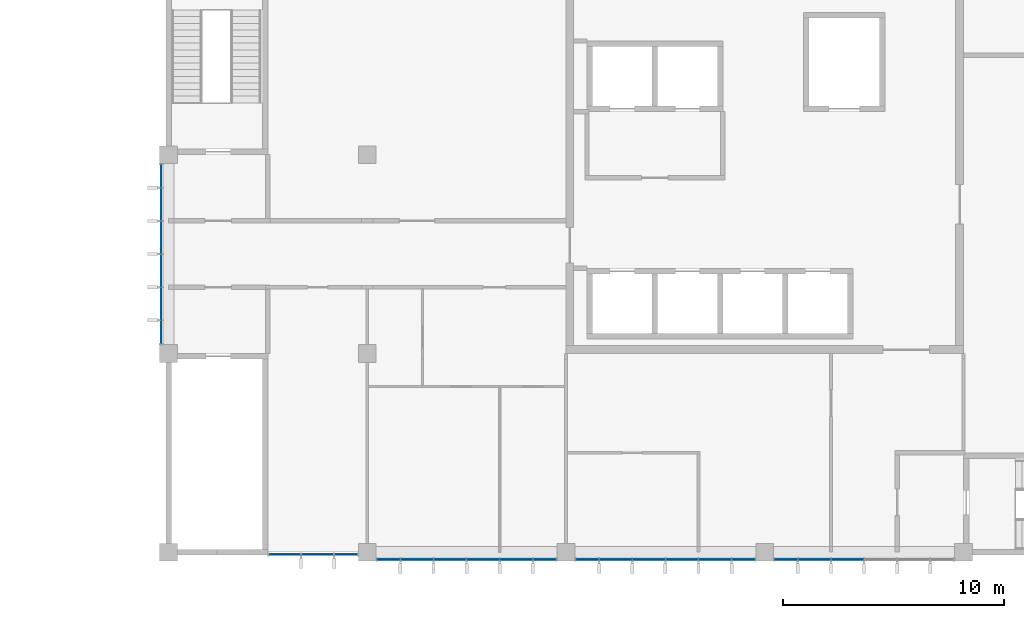
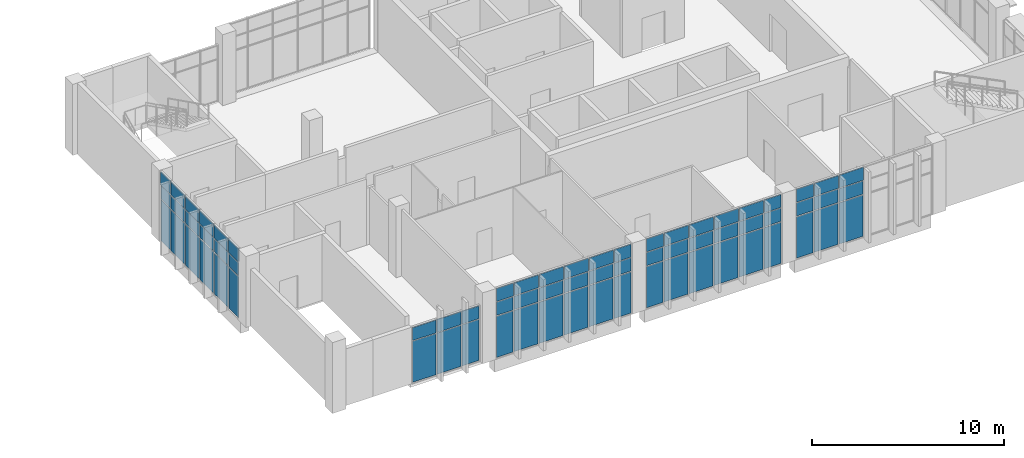
# One storey, part 8 of 19: 69 plates, 5 elements without a shape of their own.
"""IFC4 building model written with IfcOpenShell, lengths in metres."""

from ifc_helpers import new_model, si_unit, direction, frame, origin, origin_2d, place, context, subcontext, project, spatial, rectangle, extrude, material, layer, layer_set, type_object, element, aggregate, save


model = new_model("IFC4")

# Units and contexts
model_context = context("Model", 3, precision=1e-05, world=origin(), true_north=direction((0.0, 1.0)))
body_context = subcontext(model_context, "Body", "Model", "MODEL_VIEW")
ifc_project = project(units=[si_unit("LENGTHUNIT", "METRE"), si_unit("AREAUNIT", "SQUARE_METRE"), si_unit("VOLUMEUNIT", "CUBIC_METRE"), si_unit("PLANEANGLEUNIT", "RADIAN"), si_unit("MASSUNIT", "GRAM", prefix="KILO")], contexts=[model_context])

# Site, building, storey
site_placement = place(None, origin())
site = spatial("IfcSite", under=ifc_project, at=site_placement, CompositionType="ELEMENT")
building_placement = place(site_placement, origin())
building = spatial("IfcBuilding", under=site, at=building_placement, Name="Guidao Yard Department Store", CompositionType="ELEMENT")
storey_placement = place(building_placement, frame((0.0, 0.0, 33.0)))
storey = spatial("IfcBuildingStorey", under=building, at=storey_placement, Name="L07", CompositionType="ELEMENT", Elevation=33.0)

# Curtain wall, plates
ifc_material_1 = material(Name="Aluminium and glass", Category="aluminium")
ifc_layer_1 = layer(ifc_material_1, 0.159912109375)
ifc_layer_set_1 = layer_set([ifc_layer_1], Name="Unitised curtain wall CW4 1500 module")
curtain_wall_type = type_object("IfcCurtainWallType", Name="Unitised curtain wall CW4 1500 module", PredefinedType="NOTDEFINED", material=ifc_layer_set_1)
curtain_wall_1_placement = place(storey_placement, origin())
curtain_wall_1 = element("IfcCurtainWall", 1, at=curtain_wall_1_placement, inside=storey, type_object=curtain_wall_type, Name="Unitised curtain wall", PredefinedType="NOTDEFINED")
ifc_material_2 = material(Name="Aluminium 6063-T5 faced insulated spandrel", Category="aluminium")
ifc_layer_2 = layer(ifc_material_2, 0.06005859375)
ifc_layer_set_2 = layer_set([ifc_layer_2], Name="Spandrel panel SP1 insulated opaque")
plate_type_1 = type_object("IfcPlateType", Name="Spandrel panel SP1 insulated opaque", PredefinedType="CURTAIN_PANEL", material=ifc_layer_set_2)
plate_1_placement = place(storey_placement, frame((131.264892578125, -0.10009765625, 2.72998046875), z_axis=(0.0, 0.0, 1.0), x_axis=(-1.0, 0.0, 0.0)))
plate_1 = element("IfcPlate", 2, at=plate_1_placement, type_object=plate_type_1, Name="CW-OW-L07-01 panel 1.2", PredefinedType="CURTAIN_PANEL", context=body_context, shape_type="SweptSolid", body=[
    extrude(rectangle(XDim=1.409912109375, YDim=0.06005859375, at=origin_2d()), origin(), (0.0, 0.0, 1.0), 0.81005859375),
])
plate_2_placement = place(storey_placement, frame((132.75, -0.10009765625, 2.72998046875), z_axis=(0.0, 0.0, 1.0), x_axis=(-1.0, 0.0, 0.0)))
plate_2 = element("IfcPlate", 3, at=plate_2_placement, type_object=plate_type_1, Name="CW-OW-L07-01 panel 2.2", PredefinedType="CURTAIN_PANEL", context=body_context, shape_type="SweptSolid", body=[
    extrude(rectangle(XDim=1.43994140625, YDim=0.06005859375, at=origin_2d()), origin(), (0.0, 0.0, 1.0), 0.81005859375),
])
plate_3_placement = place(storey_placement, frame((134.034912109375, -0.10009765625, 2.72998046875), z_axis=(0.0, 0.0, 1.0), x_axis=(-1.0, 0.0, 0.0)))
plate_3 = element("IfcPlate", 4, at=plate_3_placement, type_object=plate_type_1, Name="CW-OW-L07-01 panel 3.2", PredefinedType="CURTAIN_PANEL", context=body_context, shape_type="SweptSolid", body=[
    extrude(rectangle(XDim=1.010009765625, YDim=0.06005859375, at=origin_2d()), origin(), (0.0, 0.0, 1.0), 0.81005859375),
])

curtain_wall_2_placement = place(storey_placement, origin())
curtain_wall_2 = element("IfcCurtainWall", 5, at=curtain_wall_2_placement, inside=storey, type_object=curtain_wall_type, Name="Unitised curtain wall", PredefinedType="NOTDEFINED")
plate_4_placement = place(storey_placement, frame((135.965087890625, -0.330078125, 3.6298828125), z_axis=(0.0, 0.0, 1.0), x_axis=(-1.0, 0.0, 0.0)))
plate_4 = element("IfcPlate", 6, at=plate_4_placement, type_object=plate_type_1, Name="CW-OW-L07-02 panel 1.3", PredefinedType="CURTAIN_PANEL", context=body_context, shape_type="SweptSolid", body=[
    extrude(rectangle(XDim=1.010009765625, YDim=0.06005859375, at=origin_2d()), origin(), (0.0, 0.0, 1.0), 0.81005859375),
])
plate_5_placement = place(storey_placement, frame((137.25, -0.330078125, 3.6298828125), z_axis=(0.0, 0.0, 1.0), x_axis=(-1.0, 0.0, 0.0)))
plate_5 = element("IfcPlate", 7, at=plate_5_placement, type_object=plate_type_1, Name="CW-OW-L07-02 panel 2.3", PredefinedType="CURTAIN_PANEL", context=body_context, shape_type="SweptSolid", body=[
    extrude(rectangle(XDim=1.43994140625, YDim=0.06005859375, at=origin_2d()), origin(), (0.0, 0.0, 1.0), 0.81005859375),
])
plate_6_placement = place(storey_placement, frame((138.75, -0.330078125, 3.6298828125), z_axis=(0.0, 0.0, 1.0), x_axis=(-1.0, 0.0, 0.0)))
plate_6 = element("IfcPlate", 8, at=plate_6_placement, type_object=plate_type_1, Name="CW-OW-L07-02 panel 3.3", PredefinedType="CURTAIN_PANEL", context=body_context, shape_type="SweptSolid", body=[
    extrude(rectangle(XDim=1.43994140625, YDim=0.06005859375, at=origin_2d()), origin(), (0.0, 0.0, 1.0), 0.81005859375),
])
plate_7_placement = place(storey_placement, frame((140.25, -0.330078125, 3.6298828125), z_axis=(0.0, 0.0, 1.0), x_axis=(-1.0, 0.0, 0.0)))
plate_7 = element("IfcPlate", 9, at=plate_7_placement, type_object=plate_type_1, Name="CW-OW-L07-02 panel 4.3", PredefinedType="CURTAIN_PANEL", context=body_context, shape_type="SweptSolid", body=[
    extrude(rectangle(XDim=1.43994140625, YDim=0.06005859375, at=origin_2d()), origin(), (0.0, 0.0, 1.0), 0.81005859375),
])
plate_8_placement = place(storey_placement, frame((141.75, -0.330078125, 3.6298828125), z_axis=(0.0, 0.0, 1.0), x_axis=(-1.0, 0.0, 0.0)))
plate_8 = element("IfcPlate", 10, at=plate_8_placement, type_object=plate_type_1, Name="CW-OW-L07-02 panel 5.3", PredefinedType="CURTAIN_PANEL", context=body_context, shape_type="SweptSolid", body=[
    extrude(rectangle(XDim=1.43994140625, YDim=0.06005859375, at=origin_2d()), origin(), (0.0, 0.0, 1.0), 0.81005859375),
])
plate_9_placement = place(storey_placement, frame((143.034912109375, -0.330078125, 3.6298828125), z_axis=(0.0, 0.0, 1.0), x_axis=(-1.0, 0.0, 0.0)))
plate_9 = element("IfcPlate", 11, at=plate_9_placement, type_object=plate_type_1, Name="CW-OW-L07-02 panel 6.3", PredefinedType="CURTAIN_PANEL", context=body_context, shape_type="SweptSolid", body=[
    extrude(rectangle(XDim=1.010009765625, YDim=0.06005859375, at=origin_2d()), origin(), (0.0, 0.0, 1.0), 0.81005859375),
])

curtain_wall_3_placement = place(storey_placement, origin())
curtain_wall_3 = element("IfcCurtainWall", 12, at=curtain_wall_3_placement, inside=storey, type_object=curtain_wall_type, Name="Unitised curtain wall", PredefinedType="NOTDEFINED")
plate_10_placement = place(storey_placement, frame((144.965087890625, -0.330078125, 3.6298828125), z_axis=(0.0, 0.0, 1.0), x_axis=(-1.0, 0.0, 0.0)))
plate_10 = element("IfcPlate", 13, at=plate_10_placement, type_object=plate_type_1, Name="CW-OW-L07-03 panel 1.3", PredefinedType="CURTAIN_PANEL", context=body_context, shape_type="SweptSolid", body=[
    extrude(rectangle(XDim=1.010009765625, YDim=0.06005859375, at=origin_2d()), origin(), (0.0, 0.0, 1.0), 0.81005859375),
])
plate_11_placement = place(storey_placement, frame((146.25, -0.330078125, 3.6298828125), z_axis=(0.0, 0.0, 1.0), x_axis=(-1.0, 0.0, 0.0)))
plate_11 = element("IfcPlate", 14, at=plate_11_placement, type_object=plate_type_1, Name="CW-OW-L07-03 panel 2.3", PredefinedType="CURTAIN_PANEL", context=body_context, shape_type="SweptSolid", body=[
    extrude(rectangle(XDim=1.43994140625, YDim=0.06005859375, at=origin_2d()), origin(), (0.0, 0.0, 1.0), 0.81005859375),
])
plate_12_placement = place(storey_placement, frame((147.75, -0.330078125, 3.6298828125), z_axis=(0.0, 0.0, 1.0), x_axis=(-1.0, 0.0, 0.0)))
plate_12 = element("IfcPlate", 15, at=plate_12_placement, type_object=plate_type_1, Name="CW-OW-L07-03 panel 3.3", PredefinedType="CURTAIN_PANEL", context=body_context, shape_type="SweptSolid", body=[
    extrude(rectangle(XDim=1.43994140625, YDim=0.06005859375, at=origin_2d()), origin(), (0.0, 0.0, 1.0), 0.81005859375),
])
plate_13_placement = place(storey_placement, frame((149.25, -0.330078125, 3.6298828125), z_axis=(0.0, 0.0, 1.0), x_axis=(-1.0, 0.0, 0.0)))
plate_13 = element("IfcPlate", 16, at=plate_13_placement, type_object=plate_type_1, Name="CW-OW-L07-03 panel 4.3", PredefinedType="CURTAIN_PANEL", context=body_context, shape_type="SweptSolid", body=[
    extrude(rectangle(XDim=1.43994140625, YDim=0.06005859375, at=origin_2d()), origin(), (0.0, 0.0, 1.0), 0.81005859375),
])
plate_14_placement = place(storey_placement, frame((150.75, -0.330078125, 3.6298828125), z_axis=(0.0, 0.0, 1.0), x_axis=(-1.0, 0.0, 0.0)))
plate_14 = element("IfcPlate", 17, at=plate_14_placement, type_object=plate_type_1, Name="CW-OW-L07-03 panel 5.3", PredefinedType="CURTAIN_PANEL", context=body_context, shape_type="SweptSolid", body=[
    extrude(rectangle(XDim=1.43994140625, YDim=0.06005859375, at=origin_2d()), origin(), (0.0, 0.0, 1.0), 0.81005859375),
])
plate_15_placement = place(storey_placement, frame((152.034912109375, -0.330078125, 3.6298828125), z_axis=(0.0, 0.0, 1.0), x_axis=(-1.0, 0.0, 0.0)))
plate_15 = element("IfcPlate", 18, at=plate_15_placement, type_object=plate_type_1, Name="CW-OW-L07-03 panel 6.3", PredefinedType="CURTAIN_PANEL", context=body_context, shape_type="SweptSolid", body=[
    extrude(rectangle(XDim=1.010009765625, YDim=0.06005859375, at=origin_2d()), origin(), (0.0, 0.0, 1.0), 0.81005859375),
])

curtain_wall_4_placement = place(storey_placement, origin())
curtain_wall_4 = element("IfcCurtainWall", 19, at=curtain_wall_4_placement, inside=storey, type_object=curtain_wall_type, Name="Unitised curtain wall", PredefinedType="NOTDEFINED")
plate_16_placement = place(storey_placement, frame((153.965087890625, -0.330078125, 3.6298828125), z_axis=(0.0, 0.0, 1.0), x_axis=(-1.0, 0.0, 0.0)))
plate_16 = element("IfcPlate", 20, at=plate_16_placement, type_object=plate_type_1, Name="CW-OW-L07-04 panel 1.3", PredefinedType="CURTAIN_PANEL", context=body_context, shape_type="SweptSolid", body=[
    extrude(rectangle(XDim=1.010009765625, YDim=0.06005859375, at=origin_2d()), origin(), (0.0, 0.0, 1.0), 0.81005859375),
])
plate_17_placement = place(storey_placement, frame((155.25, -0.330078125, 3.6298828125), z_axis=(0.0, 0.0, 1.0), x_axis=(-1.0, 0.0, 0.0)))
plate_17 = element("IfcPlate", 21, at=plate_17_placement, type_object=plate_type_1, Name="CW-OW-L07-04 panel 2.3", PredefinedType="CURTAIN_PANEL", context=body_context, shape_type="SweptSolid", body=[
    extrude(rectangle(XDim=1.43994140625, YDim=0.06005859375, at=origin_2d()), origin(), (0.0, 0.0, 1.0), 0.81005859375),
])
plate_18_placement = place(storey_placement, frame((156.75, -0.330078125, 3.6298828125), z_axis=(0.0, 0.0, 1.0), x_axis=(-1.0, 0.0, 0.0)))
plate_18 = element("IfcPlate", 22, at=plate_18_placement, type_object=plate_type_1, Name="CW-OW-L07-04 panel 3.3", PredefinedType="CURTAIN_PANEL", context=body_context, shape_type="SweptSolid", body=[
    extrude(rectangle(XDim=1.43994140625, YDim=0.06005859375, at=origin_2d()), origin(), (0.0, 0.0, 1.0), 0.81005859375),
])

curtain_wall_5_placement = place(storey_placement, origin())
curtain_wall_5 = element("IfcCurtainWall", 23, at=curtain_wall_5_placement, inside=storey, type_object=curtain_wall_type, Name="Unitised curtain wall", PredefinedType="NOTDEFINED")
plate_19_placement = place(storey_placement, frame((125.669921875, 9.965087890625, 3.6298828125), z_axis=(0.0, 0.0, 1.0), x_axis=(0.0, 1.0, 0.0)))
plate_19 = element("IfcPlate", 24, at=plate_19_placement, type_object=plate_type_1, Name="CW-OW-L07-05 panel 1.3", PredefinedType="CURTAIN_PANEL", context=body_context, shape_type="SweptSolid", body=[
    extrude(rectangle(XDim=1.010009765625, YDim=0.06005859375, at=origin_2d()), origin(), (0.0, 0.0, 1.0), 0.81005859375),
])
plate_20_placement = place(storey_placement, frame((125.669921875, 11.25, 3.6298828125), z_axis=(0.0, 0.0, 1.0), x_axis=(0.0, 1.0, 0.0)))
plate_20 = element("IfcPlate", 25, at=plate_20_placement, type_object=plate_type_1, Name="CW-OW-L07-05 panel 2.3", PredefinedType="CURTAIN_PANEL", context=body_context, shape_type="SweptSolid", body=[
    extrude(rectangle(XDim=1.43994140625, YDim=0.06005859375, at=origin_2d()), origin(), (0.0, 0.0, 1.0), 0.81005859375),
])
plate_21_placement = place(storey_placement, frame((125.669921875, 12.75, 3.6298828125), z_axis=(0.0, 0.0, 1.0), x_axis=(0.0, 1.0, 0.0)))
plate_21 = element("IfcPlate", 26, at=plate_21_placement, type_object=plate_type_1, Name="CW-OW-L07-05 panel 3.3", PredefinedType="CURTAIN_PANEL", context=body_context, shape_type="SweptSolid", body=[
    extrude(rectangle(XDim=1.43994140625, YDim=0.06005859375, at=origin_2d()), origin(), (0.0, 0.0, 1.0), 0.81005859375),
])
plate_22_placement = place(storey_placement, frame((125.669921875, 14.25, 3.6298828125), z_axis=(0.0, 0.0, 1.0), x_axis=(0.0, 1.0, 0.0)))
plate_22 = element("IfcPlate", 27, at=plate_22_placement, type_object=plate_type_1, Name="CW-OW-L07-05 panel 4.3", PredefinedType="CURTAIN_PANEL", context=body_context, shape_type="SweptSolid", body=[
    extrude(rectangle(XDim=1.43994140625, YDim=0.06005859375, at=origin_2d()), origin(), (0.0, 0.0, 1.0), 0.81005859375),
])
plate_23_placement = place(storey_placement, frame((125.669921875, 15.75, 3.6298828125), z_axis=(0.0, 0.0, 1.0), x_axis=(0.0, 1.0, 0.0)))
plate_23 = element("IfcPlate", 28, at=plate_23_placement, type_object=plate_type_1, Name="CW-OW-L07-05 panel 5.3", PredefinedType="CURTAIN_PANEL", context=body_context, shape_type="SweptSolid", body=[
    extrude(rectangle(XDim=1.43994140625, YDim=0.06005859375, at=origin_2d()), origin(), (0.0, 0.0, 1.0), 0.81005859375),
])
plate_24_placement = place(storey_placement, frame((125.669921875, 17.034912109375, 3.6298828125), z_axis=(0.0, 0.0, 1.0), x_axis=(0.0, 1.0, 0.0)))
plate_24 = element("IfcPlate", 29, at=plate_24_placement, type_object=plate_type_1, Name="CW-OW-L07-05 panel 6.3", PredefinedType="CURTAIN_PANEL", context=body_context, shape_type="SweptSolid", body=[
    extrude(rectangle(XDim=1.010009765625, YDim=0.06005859375, at=origin_2d()), origin(), (0.0, 0.0, 1.0), 0.81005859375),
])

# Plate
ifc_material_3 = material(Name="Laminated heat-soaked tempered glass", Category="glass")
ifc_layer_3 = layer(ifc_material_3, 0.017578125)
ifc_layer_set_3 = layer_set([ifc_layer_3], Name="Vision glass VG1 laminated heat-soaked tempered 8+8")
plate_type_2 = type_object("IfcPlateType", Name="Vision glass VG1 laminated heat-soaked tempered 8+8", PredefinedType="CURTAIN_PANEL", material=ifc_layer_set_3)
plate_25_placement = place(storey_placement, frame((131.264892578125, -0.10009765625, 0.06005859375), z_axis=(0.0, 0.0, 1.0), x_axis=(-1.0, 0.0, 0.0)))
plate_25 = element("IfcPlate", 30, at=plate_25_placement, type_object=plate_type_2, Name="CW-OW-L07-01 panel 1.1", PredefinedType="CURTAIN_PANEL", context=body_context, shape_type="SweptSolid", body=[
    extrude(rectangle(XDim=1.409912109375, YDim=0.017578125, at=origin_2d()), origin(), (0.0, 0.0, 1.0), 2.610107421875),
])

plate_26_placement = place(storey_placement, frame((132.75, -0.10009765625, 0.06005859375), z_axis=(0.0, 0.0, 1.0), x_axis=(-1.0, 0.0, 0.0)))
plate_26 = element("IfcPlate", 31, at=plate_26_placement, type_object=plate_type_2, Name="CW-OW-L07-01 panel 2.1", PredefinedType="CURTAIN_PANEL", context=body_context, shape_type="SweptSolid", body=[
    extrude(rectangle(XDim=1.43994140625, YDim=0.017578125, at=origin_2d()), origin(), (0.0, 0.0, 1.0), 2.610107421875),
])

plate_27_placement = place(storey_placement, frame((134.034912109375, -0.10009765625, 0.06005859375), z_axis=(0.0, 0.0, 1.0), x_axis=(-1.0, 0.0, 0.0)))
plate_27 = element("IfcPlate", 32, at=plate_27_placement, type_object=plate_type_2, Name="CW-OW-L07-01 panel 3.1", PredefinedType="CURTAIN_PANEL", context=body_context, shape_type="SweptSolid", body=[
    extrude(rectangle(XDim=1.010009765625, YDim=0.017578125, at=origin_2d()), origin(), (0.0, 0.0, 1.0), 2.610107421875),
])

aggregate(curtain_wall_1, [plate_25, plate_1, plate_26, plate_2, plate_27, plate_3])

plate_28_placement = place(storey_placement, frame((135.965087890625, -0.330078125, 0.06005859375), z_axis=(0.0, 0.0, 1.0), x_axis=(-1.0, 0.0, 0.0)))
plate_28 = element("IfcPlate", 33, at=plate_28_placement, type_object=plate_type_2, Name="CW-OW-L07-02 panel 1.1", PredefinedType="CURTAIN_PANEL", context=body_context, shape_type="SweptSolid", body=[
    extrude(rectangle(XDim=1.010009765625, YDim=0.017578125, at=origin_2d()), origin(), (0.0, 0.0, 1.0), 2.610107421875),
])

plate_29_placement = place(storey_placement, frame((135.965087890625, -0.330078125, 2.72998046875), z_axis=(0.0, 0.0, 1.0), x_axis=(-1.0, 0.0, 0.0)))
plate_29 = element("IfcPlate", 34, at=plate_29_placement, type_object=plate_type_2, Name="CW-OW-L07-02 panel 1.2", PredefinedType="CURTAIN_PANEL", context=body_context, shape_type="SweptSolid", body=[
    extrude(rectangle(XDim=1.010009765625, YDim=0.017578125, at=origin_2d()), origin(), (0.0, 0.0, 1.0), 0.840087890625),
])

plate_30_placement = place(storey_placement, frame((137.25, -0.330078125, 0.06005859375), z_axis=(0.0, 0.0, 1.0), x_axis=(-1.0, 0.0, 0.0)))
plate_30 = element("IfcPlate", 35, at=plate_30_placement, type_object=plate_type_2, Name="CW-OW-L07-02 panel 2.1", PredefinedType="CURTAIN_PANEL", context=body_context, shape_type="SweptSolid", body=[
    extrude(rectangle(XDim=1.43994140625, YDim=0.017578125, at=origin_2d()), origin(), (0.0, 0.0, 1.0), 2.610107421875),
])

plate_31_placement = place(storey_placement, frame((137.25, -0.330078125, 2.72998046875), z_axis=(0.0, 0.0, 1.0), x_axis=(-1.0, 0.0, 0.0)))
plate_31 = element("IfcPlate", 36, at=plate_31_placement, type_object=plate_type_2, Name="CW-OW-L07-02 panel 2.2", PredefinedType="CURTAIN_PANEL", context=body_context, shape_type="SweptSolid", body=[
    extrude(rectangle(XDim=1.43994140625, YDim=0.017578125, at=origin_2d()), origin(), (0.0, 0.0, 1.0), 0.840087890625),
])

plate_32_placement = place(storey_placement, frame((138.75, -0.330078125, 0.06005859375), z_axis=(0.0, 0.0, 1.0), x_axis=(-1.0, 0.0, 0.0)))
plate_32 = element("IfcPlate", 37, at=plate_32_placement, type_object=plate_type_2, Name="CW-OW-L07-02 panel 3.1", PredefinedType="CURTAIN_PANEL", context=body_context, shape_type="SweptSolid", body=[
    extrude(rectangle(XDim=1.43994140625, YDim=0.017578125, at=origin_2d()), origin(), (0.0, 0.0, 1.0), 2.610107421875),
])

plate_33_placement = place(storey_placement, frame((138.75, -0.330078125, 2.72998046875), z_axis=(0.0, 0.0, 1.0), x_axis=(-1.0, 0.0, 0.0)))
plate_33 = element("IfcPlate", 38, at=plate_33_placement, type_object=plate_type_2, Name="CW-OW-L07-02 panel 3.2", PredefinedType="CURTAIN_PANEL", context=body_context, shape_type="SweptSolid", body=[
    extrude(rectangle(XDim=1.43994140625, YDim=0.017578125, at=origin_2d()), origin(), (0.0, 0.0, 1.0), 0.840087890625),
])

plate_34_placement = place(storey_placement, frame((140.25, -0.330078125, 0.06005859375), z_axis=(0.0, 0.0, 1.0), x_axis=(-1.0, 0.0, 0.0)))
plate_34 = element("IfcPlate", 39, at=plate_34_placement, type_object=plate_type_2, Name="CW-OW-L07-02 panel 4.1", PredefinedType="CURTAIN_PANEL", context=body_context, shape_type="SweptSolid", body=[
    extrude(rectangle(XDim=1.43994140625, YDim=0.017578125, at=origin_2d()), origin(), (0.0, 0.0, 1.0), 2.610107421875),
])

plate_35_placement = place(storey_placement, frame((140.25, -0.330078125, 2.72998046875), z_axis=(0.0, 0.0, 1.0), x_axis=(-1.0, 0.0, 0.0)))
plate_35 = element("IfcPlate", 40, at=plate_35_placement, type_object=plate_type_2, Name="CW-OW-L07-02 panel 4.2", PredefinedType="CURTAIN_PANEL", context=body_context, shape_type="SweptSolid", body=[
    extrude(rectangle(XDim=1.43994140625, YDim=0.017578125, at=origin_2d()), origin(), (0.0, 0.0, 1.0), 0.840087890625),
])

plate_36_placement = place(storey_placement, frame((141.75, -0.330078125, 0.06005859375), z_axis=(0.0, 0.0, 1.0), x_axis=(-1.0, 0.0, 0.0)))
plate_36 = element("IfcPlate", 41, at=plate_36_placement, type_object=plate_type_2, Name="CW-OW-L07-02 panel 5.1", PredefinedType="CURTAIN_PANEL", context=body_context, shape_type="SweptSolid", body=[
    extrude(rectangle(XDim=1.43994140625, YDim=0.017578125, at=origin_2d()), origin(), (0.0, 0.0, 1.0), 2.610107421875),
])

plate_37_placement = place(storey_placement, frame((141.75, -0.330078125, 2.72998046875), z_axis=(0.0, 0.0, 1.0), x_axis=(-1.0, 0.0, 0.0)))
plate_37 = element("IfcPlate", 42, at=plate_37_placement, type_object=plate_type_2, Name="CW-OW-L07-02 panel 5.2", PredefinedType="CURTAIN_PANEL", context=body_context, shape_type="SweptSolid", body=[
    extrude(rectangle(XDim=1.43994140625, YDim=0.017578125, at=origin_2d()), origin(), (0.0, 0.0, 1.0), 0.840087890625),
])

plate_38_placement = place(storey_placement, frame((143.034912109375, -0.330078125, 0.06005859375), z_axis=(0.0, 0.0, 1.0), x_axis=(-1.0, 0.0, 0.0)))
plate_38 = element("IfcPlate", 43, at=plate_38_placement, type_object=plate_type_2, Name="CW-OW-L07-02 panel 6.1", PredefinedType="CURTAIN_PANEL", context=body_context, shape_type="SweptSolid", body=[
    extrude(rectangle(XDim=1.010009765625, YDim=0.017578125, at=origin_2d()), origin(), (0.0, 0.0, 1.0), 2.610107421875),
])

plate_39_placement = place(storey_placement, frame((143.034912109375, -0.330078125, 2.72998046875), z_axis=(0.0, 0.0, 1.0), x_axis=(-1.0, 0.0, 0.0)))
plate_39 = element("IfcPlate", 44, at=plate_39_placement, type_object=plate_type_2, Name="CW-OW-L07-02 panel 6.2", PredefinedType="CURTAIN_PANEL", context=body_context, shape_type="SweptSolid", body=[
    extrude(rectangle(XDim=1.010009765625, YDim=0.017578125, at=origin_2d()), origin(), (0.0, 0.0, 1.0), 0.840087890625),
])

aggregate(curtain_wall_2, [plate_28, plate_29, plate_4, plate_30, plate_31, plate_5, plate_32, plate_33, plate_6, plate_34, plate_35, plate_7, plate_36, plate_37, plate_8, plate_38, plate_39, plate_9])

plate_40_placement = place(storey_placement, frame((144.965087890625, -0.330078125, 0.06005859375), z_axis=(0.0, 0.0, 1.0), x_axis=(-1.0, 0.0, 0.0)))
plate_40 = element("IfcPlate", 45, at=plate_40_placement, type_object=plate_type_2, Name="CW-OW-L07-03 panel 1.1", PredefinedType="CURTAIN_PANEL", context=body_context, shape_type="SweptSolid", body=[
    extrude(rectangle(XDim=1.010009765625, YDim=0.017578125, at=origin_2d()), origin(), (0.0, 0.0, 1.0), 2.610107421875),
])

plate_41_placement = place(storey_placement, frame((144.965087890625, -0.330078125, 2.72998046875), z_axis=(0.0, 0.0, 1.0), x_axis=(-1.0, 0.0, 0.0)))
plate_41 = element("IfcPlate", 46, at=plate_41_placement, type_object=plate_type_2, Name="CW-OW-L07-03 panel 1.2", PredefinedType="CURTAIN_PANEL", context=body_context, shape_type="SweptSolid", body=[
    extrude(rectangle(XDim=1.010009765625, YDim=0.017578125, at=origin_2d()), origin(), (0.0, 0.0, 1.0), 0.840087890625),
])

plate_42_placement = place(storey_placement, frame((146.25, -0.330078125, 0.06005859375), z_axis=(0.0, 0.0, 1.0), x_axis=(-1.0, 0.0, 0.0)))
plate_42 = element("IfcPlate", 47, at=plate_42_placement, type_object=plate_type_2, Name="CW-OW-L07-03 panel 2.1", PredefinedType="CURTAIN_PANEL", context=body_context, shape_type="SweptSolid", body=[
    extrude(rectangle(XDim=1.43994140625, YDim=0.017578125, at=origin_2d()), origin(), (0.0, 0.0, 1.0), 2.610107421875),
])

plate_43_placement = place(storey_placement, frame((146.25, -0.330078125, 2.72998046875), z_axis=(0.0, 0.0, 1.0), x_axis=(-1.0, 0.0, 0.0)))
plate_43 = element("IfcPlate", 48, at=plate_43_placement, type_object=plate_type_2, Name="CW-OW-L07-03 panel 2.2", PredefinedType="CURTAIN_PANEL", context=body_context, shape_type="SweptSolid", body=[
    extrude(rectangle(XDim=1.43994140625, YDim=0.017578125, at=origin_2d()), origin(), (0.0, 0.0, 1.0), 0.840087890625),
])

plate_44_placement = place(storey_placement, frame((147.75, -0.330078125, 0.06005859375), z_axis=(0.0, 0.0, 1.0), x_axis=(-1.0, 0.0, 0.0)))
plate_44 = element("IfcPlate", 49, at=plate_44_placement, type_object=plate_type_2, Name="CW-OW-L07-03 panel 3.1", PredefinedType="CURTAIN_PANEL", context=body_context, shape_type="SweptSolid", body=[
    extrude(rectangle(XDim=1.43994140625, YDim=0.017578125, at=origin_2d()), origin(), (0.0, 0.0, 1.0), 2.610107421875),
])

plate_45_placement = place(storey_placement, frame((147.75, -0.330078125, 2.72998046875), z_axis=(0.0, 0.0, 1.0), x_axis=(-1.0, 0.0, 0.0)))
plate_45 = element("IfcPlate", 50, at=plate_45_placement, type_object=plate_type_2, Name="CW-OW-L07-03 panel 3.2", PredefinedType="CURTAIN_PANEL", context=body_context, shape_type="SweptSolid", body=[
    extrude(rectangle(XDim=1.43994140625, YDim=0.017578125, at=origin_2d()), origin(), (0.0, 0.0, 1.0), 0.840087890625),
])

plate_46_placement = place(storey_placement, frame((149.25, -0.330078125, 0.06005859375), z_axis=(0.0, 0.0, 1.0), x_axis=(-1.0, 0.0, 0.0)))
plate_46 = element("IfcPlate", 51, at=plate_46_placement, type_object=plate_type_2, Name="CW-OW-L07-03 panel 4.1", PredefinedType="CURTAIN_PANEL", context=body_context, shape_type="SweptSolid", body=[
    extrude(rectangle(XDim=1.43994140625, YDim=0.017578125, at=origin_2d()), origin(), (0.0, 0.0, 1.0), 2.610107421875),
])

plate_47_placement = place(storey_placement, frame((149.25, -0.330078125, 2.72998046875), z_axis=(0.0, 0.0, 1.0), x_axis=(-1.0, 0.0, 0.0)))
plate_47 = element("IfcPlate", 52, at=plate_47_placement, type_object=plate_type_2, Name="CW-OW-L07-03 panel 4.2", PredefinedType="CURTAIN_PANEL", context=body_context, shape_type="SweptSolid", body=[
    extrude(rectangle(XDim=1.43994140625, YDim=0.017578125, at=origin_2d()), origin(), (0.0, 0.0, 1.0), 0.840087890625),
])

plate_48_placement = place(storey_placement, frame((150.75, -0.330078125, 0.06005859375), z_axis=(0.0, 0.0, 1.0), x_axis=(-1.0, 0.0, 0.0)))
plate_48 = element("IfcPlate", 53, at=plate_48_placement, type_object=plate_type_2, Name="CW-OW-L07-03 panel 5.1", PredefinedType="CURTAIN_PANEL", context=body_context, shape_type="SweptSolid", body=[
    extrude(rectangle(XDim=1.43994140625, YDim=0.017578125, at=origin_2d()), origin(), (0.0, 0.0, 1.0), 2.610107421875),
])

plate_49_placement = place(storey_placement, frame((150.75, -0.330078125, 2.72998046875), z_axis=(0.0, 0.0, 1.0), x_axis=(-1.0, 0.0, 0.0)))
plate_49 = element("IfcPlate", 54, at=plate_49_placement, type_object=plate_type_2, Name="CW-OW-L07-03 panel 5.2", PredefinedType="CURTAIN_PANEL", context=body_context, shape_type="SweptSolid", body=[
    extrude(rectangle(XDim=1.43994140625, YDim=0.017578125, at=origin_2d()), origin(), (0.0, 0.0, 1.0), 0.840087890625),
])

plate_50_placement = place(storey_placement, frame((152.034912109375, -0.330078125, 0.06005859375), z_axis=(0.0, 0.0, 1.0), x_axis=(-1.0, 0.0, 0.0)))
plate_50 = element("IfcPlate", 55, at=plate_50_placement, type_object=plate_type_2, Name="CW-OW-L07-03 panel 6.1", PredefinedType="CURTAIN_PANEL", context=body_context, shape_type="SweptSolid", body=[
    extrude(rectangle(XDim=1.010009765625, YDim=0.017578125, at=origin_2d()), origin(), (0.0, 0.0, 1.0), 2.610107421875),
])

plate_51_placement = place(storey_placement, frame((152.034912109375, -0.330078125, 2.72998046875), z_axis=(0.0, 0.0, 1.0), x_axis=(-1.0, 0.0, 0.0)))
plate_51 = element("IfcPlate", 56, at=plate_51_placement, type_object=plate_type_2, Name="CW-OW-L07-03 panel 6.2", PredefinedType="CURTAIN_PANEL", context=body_context, shape_type="SweptSolid", body=[
    extrude(rectangle(XDim=1.010009765625, YDim=0.017578125, at=origin_2d()), origin(), (0.0, 0.0, 1.0), 0.840087890625),
])

aggregate(curtain_wall_3, [plate_40, plate_41, plate_10, plate_42, plate_43, plate_11, plate_44, plate_45, plate_12, plate_46, plate_47, plate_13, plate_48, plate_49, plate_14, plate_50, plate_51, plate_15])

plate_52_placement = place(storey_placement, frame((153.965087890625, -0.330078125, 0.06005859375), z_axis=(0.0, 0.0, 1.0), x_axis=(-1.0, 0.0, 0.0)))
plate_52 = element("IfcPlate", 57, at=plate_52_placement, type_object=plate_type_2, Name="CW-OW-L07-04 panel 1.1", PredefinedType="CURTAIN_PANEL", context=body_context, shape_type="SweptSolid", body=[
    extrude(rectangle(XDim=1.010009765625, YDim=0.017578125, at=origin_2d()), origin(), (0.0, 0.0, 1.0), 2.610107421875),
])

plate_53_placement = place(storey_placement, frame((153.965087890625, -0.330078125, 2.72998046875), z_axis=(0.0, 0.0, 1.0), x_axis=(-1.0, 0.0, 0.0)))
plate_53 = element("IfcPlate", 58, at=plate_53_placement, type_object=plate_type_2, Name="CW-OW-L07-04 panel 1.2", PredefinedType="CURTAIN_PANEL", context=body_context, shape_type="SweptSolid", body=[
    extrude(rectangle(XDim=1.010009765625, YDim=0.017578125, at=origin_2d()), origin(), (0.0, 0.0, 1.0), 0.840087890625),
])

plate_54_placement = place(storey_placement, frame((155.25, -0.330078125, 0.06005859375), z_axis=(0.0, 0.0, 1.0), x_axis=(-1.0, 0.0, 0.0)))
plate_54 = element("IfcPlate", 59, at=plate_54_placement, type_object=plate_type_2, Name="CW-OW-L07-04 panel 2.1", PredefinedType="CURTAIN_PANEL", context=body_context, shape_type="SweptSolid", body=[
    extrude(rectangle(XDim=1.43994140625, YDim=0.017578125, at=origin_2d()), origin(), (0.0, 0.0, 1.0), 2.610107421875),
])

plate_55_placement = place(storey_placement, frame((155.25, -0.330078125, 2.72998046875), z_axis=(0.0, 0.0, 1.0), x_axis=(-1.0, 0.0, 0.0)))
plate_55 = element("IfcPlate", 60, at=plate_55_placement, type_object=plate_type_2, Name="CW-OW-L07-04 panel 2.2", PredefinedType="CURTAIN_PANEL", context=body_context, shape_type="SweptSolid", body=[
    extrude(rectangle(XDim=1.43994140625, YDim=0.017578125, at=origin_2d()), origin(), (0.0, 0.0, 1.0), 0.840087890625),
])

plate_56_placement = place(storey_placement, frame((156.75, -0.330078125, 0.06005859375), z_axis=(0.0, 0.0, 1.0), x_axis=(-1.0, 0.0, 0.0)))
plate_56 = element("IfcPlate", 61, at=plate_56_placement, type_object=plate_type_2, Name="CW-OW-L07-04 panel 3.1", PredefinedType="CURTAIN_PANEL", context=body_context, shape_type="SweptSolid", body=[
    extrude(rectangle(XDim=1.43994140625, YDim=0.017578125, at=origin_2d()), origin(), (0.0, 0.0, 1.0), 2.610107421875),
])

plate_57_placement = place(storey_placement, frame((156.75, -0.330078125, 2.72998046875), z_axis=(0.0, 0.0, 1.0), x_axis=(-1.0, 0.0, 0.0)))
plate_57 = element("IfcPlate", 62, at=plate_57_placement, type_object=plate_type_2, Name="CW-OW-L07-04 panel 3.2", PredefinedType="CURTAIN_PANEL", context=body_context, shape_type="SweptSolid", body=[
    extrude(rectangle(XDim=1.43994140625, YDim=0.017578125, at=origin_2d()), origin(), (0.0, 0.0, 1.0), 0.840087890625),
])

aggregate(curtain_wall_4, [plate_52, plate_53, plate_16, plate_54, plate_55, plate_17, plate_56, plate_57, plate_18])

plate_58_placement = place(storey_placement, frame((125.669921875, 9.965087890625, 0.06005859375), z_axis=(0.0, 0.0, 1.0), x_axis=(0.0, 1.0, 0.0)))
plate_58 = element("IfcPlate", 63, at=plate_58_placement, type_object=plate_type_2, Name="CW-OW-L07-05 panel 1.1", PredefinedType="CURTAIN_PANEL", context=body_context, shape_type="SweptSolid", body=[
    extrude(rectangle(XDim=1.010009765625, YDim=0.017578125, at=origin_2d()), origin(), (0.0, 0.0, 1.0), 2.610107421875),
])

plate_59_placement = place(storey_placement, frame((125.669921875, 9.965087890625, 2.72998046875), z_axis=(0.0, 0.0, 1.0), x_axis=(0.0, 1.0, 0.0)))
plate_59 = element("IfcPlate", 64, at=plate_59_placement, type_object=plate_type_2, Name="CW-OW-L07-05 panel 1.2", PredefinedType="CURTAIN_PANEL", context=body_context, shape_type="SweptSolid", body=[
    extrude(rectangle(XDim=1.010009765625, YDim=0.017578125, at=origin_2d()), origin(), (0.0, 0.0, 1.0), 0.840087890625),
])

plate_60_placement = place(storey_placement, frame((125.669921875, 11.25, 0.06005859375), z_axis=(0.0, 0.0, 1.0), x_axis=(0.0, 1.0, 0.0)))
plate_60 = element("IfcPlate", 65, at=plate_60_placement, type_object=plate_type_2, Name="CW-OW-L07-05 panel 2.1", PredefinedType="CURTAIN_PANEL", context=body_context, shape_type="SweptSolid", body=[
    extrude(rectangle(XDim=1.43994140625, YDim=0.017578125, at=origin_2d()), origin(), (0.0, 0.0, 1.0), 2.610107421875),
])

plate_61_placement = place(storey_placement, frame((125.669921875, 11.25, 2.72998046875), z_axis=(0.0, 0.0, 1.0), x_axis=(0.0, 1.0, 0.0)))
plate_61 = element("IfcPlate", 66, at=plate_61_placement, type_object=plate_type_2, Name="CW-OW-L07-05 panel 2.2", PredefinedType="CURTAIN_PANEL", context=body_context, shape_type="SweptSolid", body=[
    extrude(rectangle(XDim=1.43994140625, YDim=0.017578125, at=origin_2d()), origin(), (0.0, 0.0, 1.0), 0.840087890625),
])

plate_62_placement = place(storey_placement, frame((125.669921875, 12.75, 0.06005859375), z_axis=(0.0, 0.0, 1.0), x_axis=(0.0, 1.0, 0.0)))
plate_62 = element("IfcPlate", 67, at=plate_62_placement, type_object=plate_type_2, Name="CW-OW-L07-05 panel 3.1", PredefinedType="CURTAIN_PANEL", context=body_context, shape_type="SweptSolid", body=[
    extrude(rectangle(XDim=1.43994140625, YDim=0.017578125, at=origin_2d()), origin(), (0.0, 0.0, 1.0), 2.610107421875),
])

plate_63_placement = place(storey_placement, frame((125.669921875, 12.75, 2.72998046875), z_axis=(0.0, 0.0, 1.0), x_axis=(0.0, 1.0, 0.0)))
plate_63 = element("IfcPlate", 68, at=plate_63_placement, type_object=plate_type_2, Name="CW-OW-L07-05 panel 3.2", PredefinedType="CURTAIN_PANEL", context=body_context, shape_type="SweptSolid", body=[
    extrude(rectangle(XDim=1.43994140625, YDim=0.017578125, at=origin_2d()), origin(), (0.0, 0.0, 1.0), 0.840087890625),
])

plate_64_placement = place(storey_placement, frame((125.669921875, 14.25, 0.06005859375), z_axis=(0.0, 0.0, 1.0), x_axis=(0.0, 1.0, 0.0)))
plate_64 = element("IfcPlate", 69, at=plate_64_placement, type_object=plate_type_2, Name="CW-OW-L07-05 panel 4.1", PredefinedType="CURTAIN_PANEL", context=body_context, shape_type="SweptSolid", body=[
    extrude(rectangle(XDim=1.43994140625, YDim=0.017578125, at=origin_2d()), origin(), (0.0, 0.0, 1.0), 2.610107421875),
])

plate_65_placement = place(storey_placement, frame((125.669921875, 14.25, 2.72998046875), z_axis=(0.0, 0.0, 1.0), x_axis=(0.0, 1.0, 0.0)))
plate_65 = element("IfcPlate", 70, at=plate_65_placement, type_object=plate_type_2, Name="CW-OW-L07-05 panel 4.2", PredefinedType="CURTAIN_PANEL", context=body_context, shape_type="SweptSolid", body=[
    extrude(rectangle(XDim=1.43994140625, YDim=0.017578125, at=origin_2d()), origin(), (0.0, 0.0, 1.0), 0.840087890625),
])

plate_66_placement = place(storey_placement, frame((125.669921875, 15.75, 0.06005859375), z_axis=(0.0, 0.0, 1.0), x_axis=(0.0, 1.0, 0.0)))
plate_66 = element("IfcPlate", 71, at=plate_66_placement, type_object=plate_type_2, Name="CW-OW-L07-05 panel 5.1", PredefinedType="CURTAIN_PANEL", context=body_context, shape_type="SweptSolid", body=[
    extrude(rectangle(XDim=1.43994140625, YDim=0.017578125, at=origin_2d()), origin(), (0.0, 0.0, 1.0), 2.610107421875),
])

plate_67_placement = place(storey_placement, frame((125.669921875, 15.75, 2.72998046875), z_axis=(0.0, 0.0, 1.0), x_axis=(0.0, 1.0, 0.0)))
plate_67 = element("IfcPlate", 72, at=plate_67_placement, type_object=plate_type_2, Name="CW-OW-L07-05 panel 5.2", PredefinedType="CURTAIN_PANEL", context=body_context, shape_type="SweptSolid", body=[
    extrude(rectangle(XDim=1.43994140625, YDim=0.017578125, at=origin_2d()), origin(), (0.0, 0.0, 1.0), 0.840087890625),
])

plate_68_placement = place(storey_placement, frame((125.669921875, 17.034912109375, 0.06005859375), z_axis=(0.0, 0.0, 1.0), x_axis=(0.0, 1.0, 0.0)))
plate_68 = element("IfcPlate", 73, at=plate_68_placement, type_object=plate_type_2, Name="CW-OW-L07-05 panel 6.1", PredefinedType="CURTAIN_PANEL", context=body_context, shape_type="SweptSolid", body=[
    extrude(rectangle(XDim=1.010009765625, YDim=0.017578125, at=origin_2d()), origin(), (0.0, 0.0, 1.0), 2.610107421875),
])

plate_69_placement = place(storey_placement, frame((125.669921875, 17.034912109375, 2.72998046875), z_axis=(0.0, 0.0, 1.0), x_axis=(0.0, 1.0, 0.0)))
plate_69 = element("IfcPlate", 74, at=plate_69_placement, type_object=plate_type_2, Name="CW-OW-L07-05 panel 6.2", PredefinedType="CURTAIN_PANEL", context=body_context, shape_type="SweptSolid", body=[
    extrude(rectangle(XDim=1.010009765625, YDim=0.017578125, at=origin_2d()), origin(), (0.0, 0.0, 1.0), 0.840087890625),
])

aggregate(curtain_wall_5, [plate_58, plate_59, plate_19, plate_60, plate_61, plate_20, plate_62, plate_63, plate_21, plate_64, plate_65, plate_22, plate_66, plate_67, plate_23, plate_68, plate_69, plate_24])

save(model, "model.ifc")
